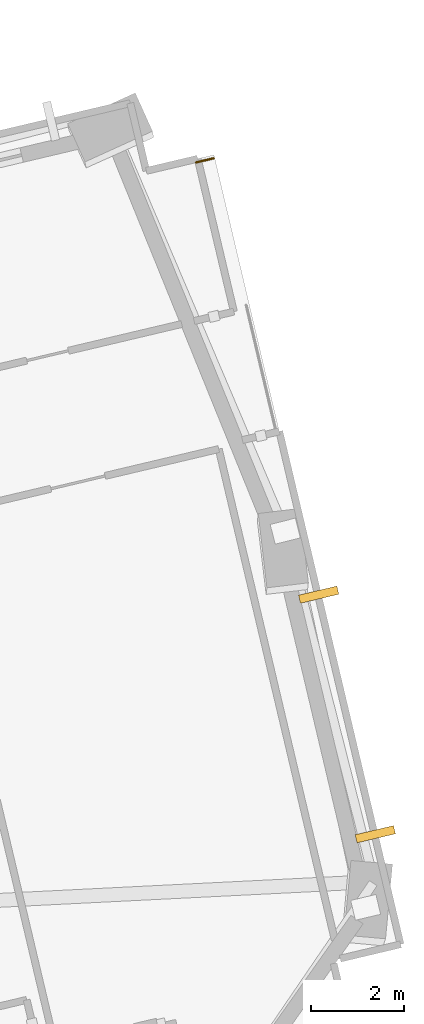
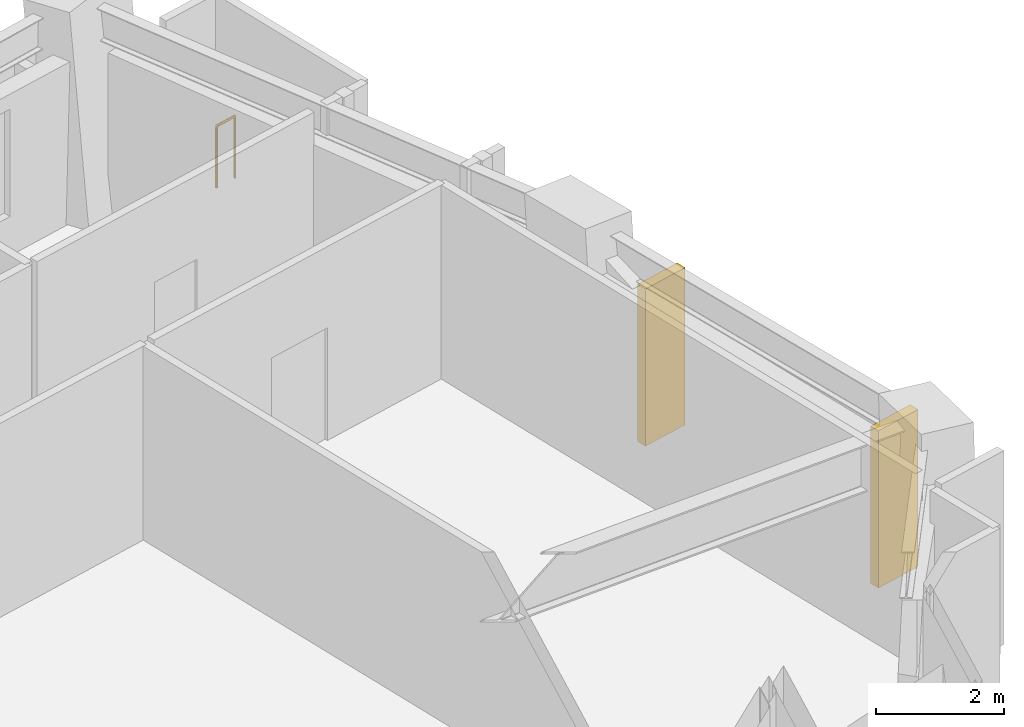
# One storey, part 14 of 14: 2 shading devices, 1 railing.
"""IFC4 building model written with IfcOpenShell, lengths in metres."""

import ifcopenshell
import ifcopenshell.guid

model = None  # the IFC model being written
_history = None  # IfcOwnerHistory: only IFC2X3 demands one
_inside = {}  # id of a spatial element -> (the spatial element, [elements in it])
_under = {}  # id of a project, library or spatial element -> (it, [spatial elements below it])
_declared = {}  # id of a project -> (the project, [libraries it declares])
_typed = {}  # id of a type object -> (the type object, [elements of that type])
_made_of = {}  # id of a material, layer set ... -> (it, [elements and type objects made of it])


def new_model(schema):
    """Start an empty IFC model of exactly this schema.

    Asked for "IFC4X3", IfcOpenShell would pick the latest addendum, in which some entities
    have other attributes; the version numbers below select the first issue.
    IFC2X3 requires an IfcOwnerHistory on every rooted entity: one is made here for all.
    """
    global model, _history
    if schema == "IFC4X3":
        model = ifcopenshell.file(schema_version=(4, 3, 0, 0))
    else:
        model = ifcopenshell.file(schema=schema)
    _inside.clear()
    _under.clear()
    _declared.clear()
    _typed.clear()
    _made_of.clear()
    _history = None
    if model.schema == "IFC2X3":
        org = make("IfcOrganization", Name="unknown")
        user = make(
            "IfcPersonAndOrganization",
            ThePerson=make("IfcPerson", FamilyName="unknown"),
            TheOrganization=org,
        )
        app = make(
            "IfcApplication",
            ApplicationDeveloper=org,
            Version="unknown",
            ApplicationFullName="unknown",
            ApplicationIdentifier="unknown",
        )
        _history = make(
            "IfcOwnerHistory",
            OwningUser=user,
            OwningApplication=app,
            ChangeAction="ADDED",
            CreationDate=0,
        )
    return model


def make(cls, **values):
    """One entity of the class cls with the attributes given. An attribute that is None is left unset."""
    return model.create_entity(
        cls, **{name: value for name, value in values.items() if value is not None}
    )


def rooted(cls, **values):
    """An entity with a GlobalId (a new one), such as an element, a storey or a relation."""
    return make(cls, GlobalId=ifcopenshell.guid.new(), OwnerHistory=_history, **values)


def si_unit(unit_type, name, prefix=None):
    """IfcSIUnit, for example si_unit("LENGTHUNIT", "METRE", prefix="MILLI")."""
    return make("IfcSIUnit", UnitType=unit_type, Prefix=prefix, Name=name)


def assignment(units):
    """IfcUnitAssignment: the units of a project."""
    return None if units is None else make("IfcUnitAssignment", Units=units)


def point(xyz):
    """IfcCartesianPoint."""
    return None if xyz is None else make("IfcCartesianPoint", Coordinates=xyz)


def direction(xyz):
    """IfcDirection."""
    return None if xyz is None else make("IfcDirection", DirectionRatios=xyz)


def frame(location, z_axis=None, x_axis=None):
    """IfcAxis2Placement3D, a coordinate frame: its origin and axes. An axis left out is left unset."""
    return make(
        "IfcAxis2Placement3D",
        Location=point(location),
        Axis=direction(z_axis),
        RefDirection=direction(x_axis),
    )


def frame_2d(location, x_axis=None):
    """IfcAxis2Placement2D, a coordinate frame in the plane: its origin and x axis."""
    return make(
        "IfcAxis2Placement2D", Location=point(location), RefDirection=direction(x_axis)
    )


def origin():
    """The frame at (0, 0, 0) with its axes left unset."""
    return frame((0.0, 0.0, 0.0))


def origin_2d():
    """The frame at (0, 0) in the plane with its x axis left unset."""
    return frame_2d((0.0, 0.0))


def place(relative_to, where):
    """IfcLocalPlacement: puts the frame where relative to a parent placement (None: the world)."""
    return make(
        "IfcLocalPlacement", PlacementRelTo=relative_to, RelativePlacement=where
    )


def context(
    kind, dimensions, precision=None, world=None, true_north=None, identifier=None
):
    """IfcGeometricRepresentationContext, for example the 3D "Model" context."""
    return make(
        "IfcGeometricRepresentationContext",
        ContextIdentifier=identifier,
        ContextType=kind,
        CoordinateSpaceDimension=dimensions,
        Precision=precision,
        WorldCoordinateSystem=world,
        TrueNorth=true_north,
    )


def subcontext(parent, identifier, kind, view, scale=None):
    """IfcGeometricRepresentationSubContext, for example "Body" below "Model"."""
    return make(
        "IfcGeometricRepresentationSubContext",
        ContextIdentifier=identifier,
        ContextType=kind,
        ParentContext=parent,
        TargetScale=scale,
        TargetView=view,
    )


def project(units=None, contexts=None):
    """IfcProject with its units and contexts."""
    return rooted(
        "IfcProject",
        Name="project",
        RepresentationContexts=contexts,
        UnitsInContext=assignment(units),
    )


def spatial(cls, under=None, at=None, **own):
    """A site, building, storey or space (cls), placed at a placement, below another one or the project."""
    s = rooted(cls, ObjectPlacement=at, **own)
    if under is not None:
        _under.setdefault(under.id(), (under, []))[1].append(s)
    return s


def profile(cls, at=None, kind="AREA", **sizes):
    """A parametric profile (cls). Its sizes go by their IFC names, for example OverallWidth=200.0."""
    return make(cls, ProfileType=kind, Position=at, **sizes)


def rectangle(**sizes):
    """IfcRectangleProfileDef."""
    return profile("IfcRectangleProfileDef", **sizes)


def circle(**sizes):
    """IfcCircleProfileDef."""
    return profile("IfcCircleProfileDef", **sizes)


def extrude(swept, where, along, depth):
    """IfcExtrudedAreaSolid: the profile swept, set in the frame where, extruded along a direction by depth."""
    return make(
        "IfcExtrudedAreaSolid",
        SweptArea=swept,
        Position=where,
        ExtrudedDirection=direction(along),
        Depth=depth,
    )


def shape(context_of_items, identifier, shape_type, items):
    """IfcShapeRepresentation: the items that make up one representation, for example the "Body"."""
    return make(
        "IfcShapeRepresentation",
        ContextOfItems=context_of_items,
        RepresentationIdentifier=identifier,
        RepresentationType=shape_type,
        Items=items,
    )


def material(Name=None, Category=None):
    """IfcMaterial."""
    return make("IfcMaterial", Name=Name, Category=Category)


def layer(
    of_material, thickness, ventilated=None, Name=None, Category=None, Priority=None
):
    """IfcMaterialLayer: one layer of a wall or slab, of a material (None: an air gap)."""
    return make(
        "IfcMaterialLayer",
        Material=of_material,
        LayerThickness=thickness,
        IsVentilated=ventilated,
        Name=Name,
        Category=Category,
        Priority=Priority,
    )


def layer_set(layers, Name=None):
    """IfcMaterialLayerSet."""
    return make("IfcMaterialLayerSet", MaterialLayers=layers, LayerSetName=Name)


def made_of(thing, what):
    """Note that an element or type object is made of a material, layer set ...; save() writes the relation."""
    if what is not None:
        _made_of.setdefault(what.id(), (what, []))[1].append(thing)
    return thing


def type_object(cls, material=None, **own):
    """A type object (cls), such as IfcWallType, which elements share."""
    return made_of(rooted(cls, **own), material)


def element(
    cls,
    number,
    at=None,
    inside=None,
    cuts=None,
    type_object=None,
    material=None,
    context=None,
    identifier="Body",
    shape_type=None,
    held_by="IfcProductDefinitionShape",
    body=None,
    shapes=None,
    **own,
):
    """One element of the class cls, such as IfcWall. Its Tag is "e" and its number.

    at: its placement. inside: the storey or other place that contains it. cuts: it is an
    opening in that element (IfcRelVoidsElement). A single representation is given by context,
    identifier, shape_type and body (its items); several are given by shapes. held_by: the class
    of the entity that holds the representations. save() writes the other relations.
    """
    e = rooted(cls, Tag="e%d" % number, ObjectPlacement=at, **own)
    if body is not None:
        shapes = [shape(context, identifier, shape_type, body)]
    if shapes is not None:
        e.Representation = make(held_by, Representations=shapes)
    if inside is not None:
        _inside.setdefault(inside.id(), (inside, []))[1].append(e)
    if cuts is not None:
        rooted(
            "IfcRelVoidsElement", RelatingBuildingElement=cuts, RelatedOpeningElement=e
        )
    if type_object is not None:
        _typed.setdefault(type_object.id(), (type_object, []))[1].append(e)
    return made_of(e, material)


def aggregate(whole, parts):
    """IfcRelAggregates: a whole, such as a stair, and the parts it consists of."""
    return rooted("IfcRelAggregates", RelatingObject=whole, RelatedObjects=parts)


def save(model, path):
    """Write the relations noted so far, then the file.

    IfcRelAggregates (storeys below a building ...), IfcRelContainedInSpatialStructure (elements
    in a storey), IfcRelDefinesByType, IfcRelAssociatesMaterial and IfcRelDeclares: one each for
    every whole, place, type object, material and project.
    """
    for whole, parts in _under.values():
        aggregate(whole, parts)
    for where, things in _inside.values():
        rooted(
            "IfcRelContainedInSpatialStructure",
            RelatedElements=things,
            RelatingStructure=where,
        )
    for kind, things in _typed.values():
        rooted("IfcRelDefinesByType", RelatedObjects=things, RelatingType=kind)
    for what, things in _made_of.values():
        rooted("IfcRelAssociatesMaterial", RelatedObjects=things, RelatingMaterial=what)
    for by, libraries in _declared.values():
        rooted("IfcRelDeclares", RelatingContext=by, RelatedDefinitions=libraries)
    model.write(path)


model = new_model("IFC4")

# Units and contexts
model_context = context("Model", 3, precision=1e-05, world=origin(), true_north=direction((0.0, 1.0)))
body_context = subcontext(model_context, "Body", "Model", "MODEL_VIEW")
ifc_project = project(units=[si_unit("LENGTHUNIT", "METRE"), si_unit("AREAUNIT", "SQUARE_METRE"), si_unit("VOLUMEUNIT", "CUBIC_METRE"), si_unit("PLANEANGLEUNIT", "RADIAN"), si_unit("MASSUNIT", "GRAM", prefix="KILO")], contexts=[model_context])

# Site, building, storey
site_placement = place(None, origin())
site = spatial("IfcSite", under=ifc_project, at=site_placement, CompositionType="ELEMENT")
building_placement = place(site_placement, origin())
building = spatial("IfcBuilding", under=site, at=building_placement, Name="Gaonmaruhae Medical Tower", CompositionType="ELEMENT")
storey_placement = place(building_placement, frame((0.0, 0.0, 79.0)))
storey = spatial("IfcBuildingStorey", under=building, at=storey_placement, Name="L18", CompositionType="ELEMENT", Elevation=79.0)

# Railing
ifc_material_1 = material(Name="Stainless steel 316L and laminated safety glass", Category="steel")
ifc_layer = layer(ifc_material_1, 0.080078125)
ifc_layer_set = layer_set([ifc_layer], Name="Stainless steel 316L and laminated safety glass")
railing_type = type_object("IfcRailingType", Name="GD-120 Outdoor Terrace Safety Glass & Steel Balustrade", PredefinedType="BALUSTRADE", material=ifc_layer_set)
railing_placement = place(storey_placement, frame((63.32763671875, 29.39208984375, 0.0)))
element("IfcRailing", 1, at=railing_placement, inside=storey, type_object=railing_type, Name="L18 Perimeter Slab Edge Safety Balustrade 02", PredefinedType="BALUSTRADE", context=body_context, shape_type="SweptSolid", body=[
    extrude(circle(Radius=0.02392578125, at=origin_2d()), frame((0.0, 0.0, 1.17578125), z_axis=(0.973270441299, 0.229662030153, 0.0), x_axis=(-0.229662030153, 0.973270441299, 0.0)), (0.0, 0.0, 1.0), 0.393310546875),
    extrude(circle(Radius=0.02099609375, at=origin_2d()), origin(), (0.0, 0.0, 1.0), 1.15185546875),
    extrude(circle(Radius=0.02099609375, at=origin_2d()), frame((0.3828125, 0.09033203125, 0.0)), (0.0, 0.0, 1.0), 1.15185546875),
])

# Shading devices
ifc_material_2 = material(Name="Pigmented coral precast concrete C45/55", Category="concrete")
shading_device_type = type_object("IfcShadingDeviceType", Name="SD-FIN1 Tower Vertical Coral Precast Shading Fin", PredefinedType="USERDEFINED", material=ifc_material_2)
for number, where, z_axis, x_axis, name in (
    (2, (65.97216796875, 20.067138671875, 0.04248046875), (0.0, 0.0, 1.0), (0.230032751978, -0.973182887754, 0.0), "L18 Vertical Coral Precast Shading Fin E01"),
    (3, (67.193603515625, 14.8994140625, 0.04248046875), (0.0, 0.0, 1.0), (0.230032751978, -0.973182887754, 0.0), "L18 Vertical Coral Precast Shading Fin E01B"),
):
    element("IfcShadingDevice", number, at=place(storey_placement, frame(where, z_axis=z_axis, x_axis=x_axis)), inside=storey, type_object=shading_device_type, Name=name, ObjectType="FIN", PredefinedType="USERDEFINED", context=body_context, shape_type="SweptSolid", body=[
        extrude(rectangle(XDim=0.179931640625, YDim=0.85009765625, at=origin_2d()), origin(), (0.0, 0.0, 1.0), 3.0),
    ])

save(model, "model.ifc")
